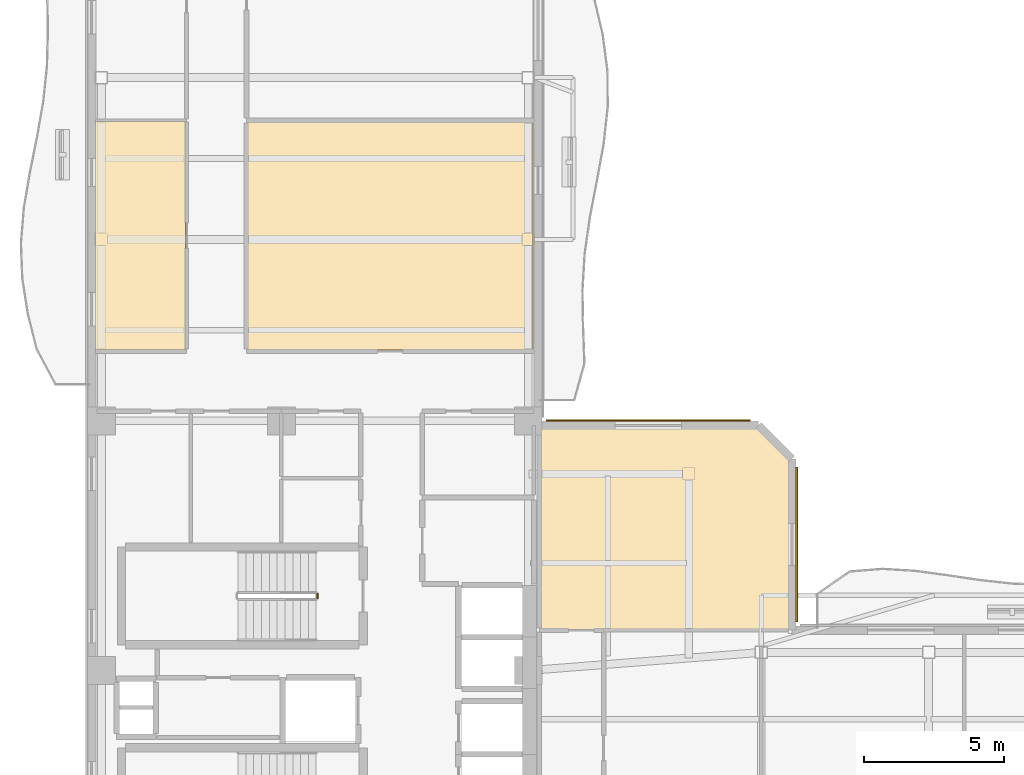
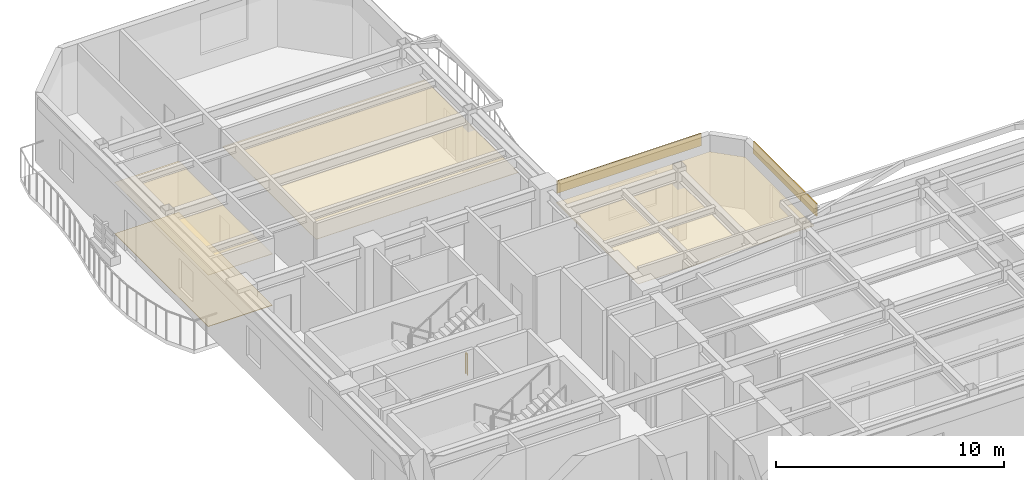
# One storey, part 11 of 13: 6 coverings, 1 railing.
"""IFC4 building model written with IfcOpenShell, lengths in metres."""

from ifc_helpers import new_model, si_unit, direction, frame, origin, origin_2d, place, context, subcontext, project, spatial, polyline, rectangle, outline, extrude, material, layer, layer_set, type_object, element, save


model = new_model("IFC4")

# Units and contexts
model_context = context("Model", 3, precision=1e-05, world=origin(), true_north=direction((0.0, 1.0)))
body_context = subcontext(model_context, "Body", "Model", "MODEL_VIEW")
ifc_project = project(units=[si_unit("LENGTHUNIT", "METRE"), si_unit("AREAUNIT", "SQUARE_METRE"), si_unit("VOLUMEUNIT", "CUBIC_METRE"), si_unit("PLANEANGLEUNIT", "RADIAN"), si_unit("MASSUNIT", "GRAM", prefix="KILO")], contexts=[model_context])

# Site, building, storey
site_placement = place(None, origin())
site = spatial("IfcSite", under=ifc_project, at=site_placement, CompositionType="ELEMENT")
building_placement = place(site_placement, origin())
building = spatial("IfcBuilding", under=site, at=building_placement, Name="Mawjaban Terraces University", CompositionType="ELEMENT")
storey_placement = place(building_placement, frame((0.0, 0.0, 199.199951171875)))
storey = spatial("IfcBuildingStorey", under=building, at=storey_placement, Name="L48", CompositionType="ELEMENT", Elevation=199.199951171875)

# Coverings
ifc_material_1 = material(Name="Acoustic mineral fibre ceiling tile", Category="masonry")
ifc_layer_1 = layer(ifc_material_1, 0.02001953125)
ifc_layer_set_1 = layer_set([ifc_layer_1], Name="Acoustic mineral fibre ceiling tile")
covering_type_1 = type_object("IfcCoveringType", Name="AcousticMineralCeiling_20", PredefinedType="CEILING", material=ifc_layer_set_1)
covering_1_placement = place(storey_placement, frame((0.0, 0.0, 2.75)))
element("IfcCovering", 1, at=covering_1_placement, inside=storey, type_object=covering_type_1, Name="L48 Seminar Room 10 Acoustic Ceiling", PredefinedType="CEILING", context=body_context, shape_type="SweptSolid", body=[
    extrude(outline(polyline([(22.114990234375, 34.22607421875), (22.114990234375, 26.030029296875), (25.3701171875, 26.030029296875), (25.3701171875, 34.22607421875), (22.114990234375, 34.22607421875)])), origin(), (0.0, 0.0, 1.0), 0.02001953125),
])
covering_2_placement = place(storey_placement, frame((0.0, 0.0, 2.75)))
element("IfcCovering", 2, at=covering_2_placement, inside=storey, type_object=covering_type_1, Name="L48 Faculty Office 11 Acoustic Ceiling", PredefinedType="CEILING", context=body_context, shape_type="SweptSolid", body=[
    extrude(outline(polyline([(37.820068359375, 26.030029296875), (37.820068359375, 34.22607421875), (27.580078125, 34.22607421875), (27.580078125, 26.030029296875), (37.820068359375, 26.030029296875)])), origin(), (0.0, 0.0, 1.0), 0.02001953125),
])
covering_3_placement = place(storey_placement, frame((0.0, 0.0, 2.75)))
element("IfcCovering", 3, at=covering_3_placement, inside=storey, type_object=covering_type_1, Name="L48 Terrace Collaborative Study Room Acoustic Ceiling", PredefinedType="CEILING", context=body_context, shape_type="SweptSolid", body=[
    extrude(outline(polyline([(46.985107421875, 16.030029296875), (46.985107421875, 22.087890625), (45.85302734375, 23.219970703125), (38.080078125, 23.219970703125), (38.080078125, 16.030029296875), (46.985107421875, 16.030029296875)])), origin(), (0.0, 0.0, 1.0), 0.02001953125),
])

# Railing
ifc_material_2 = material(Name="Galvanised painted steel S355", Category="steel")
railing_type = type_object("IfcRailingType", Name="StairWellGuard_1150", PredefinedType="BALUSTRADE", material=ifc_material_2)
railing_placement = place(storey_placement, frame((30.10009765625, 17.300048828125, 0.0)))
element("IfcRailing", 4, at=railing_placement, inside=storey, type_object=railing_type, Name="L48 ST-2 stair guard 4", PredefinedType="BALUSTRADE", context=body_context, shape_type="SweptSolid", body=[
    extrude(rectangle(XDim=0.048095703125, YDim=0.048095703125, at=origin_2d()), frame((0.0, 0.0, 1.1259765625), z_axis=(0.0, -1.0, 0.0), x_axis=(1.0, 0.0, 0.0)), (0.0, 0.0, 1.0), 0.150146484375),
    extrude(rectangle(XDim=0.0419921875, YDim=0.0419921875, at=origin_2d()), origin(), (0.0, 0.0, 1.0), 1.101806640625),
    extrude(rectangle(XDim=0.0419921875, YDim=0.0419921875, at=origin_2d()), frame((0.0, -0.150146484375, 0.0)), (0.0, 0.0, 1.0), 1.101806640625),
])

# Coverings
ifc_material_3 = material(Name="Glazed architectural terracotta rainscreen", Category="masonry")
ifc_layer_2 = layer(ifc_material_3, 0.06005859375)
ifc_layer_set_2 = layer_set([ifc_layer_2], Name="Glazed architectural terracotta rainscreen")
covering_type_2 = type_object("IfcCoveringType", Name="TerracottaSpandrelCladding_60", PredefinedType="CLADDING", material=ifc_layer_set_2)
covering_4_placement = place(storey_placement, frame((47.27490234375, 19.068115234375, 3.01513671875), z_axis=(0.0, 0.0, 1.0), x_axis=(0.0, 1.0, 0.0)))
element("IfcCovering", 5, at=covering_4_placement, inside=storey, type_object=covering_type_2, Name="L48 Terracotta Spandrel Cladding 6", PredefinedType="CLADDING", context=body_context, shape_type="SweptSolid", body=[
    extrude(rectangle(XDim=5.534912109375, YDim=0.06005859375, at=origin_2d()), origin(), (0.0, 0.0, 1.0), 0.64990234375),
])
covering_5_placement = place(storey_placement, frame((41.949951171875, 23.510009765625, 3.01513671875), z_axis=(0.0, 0.0, 1.0), x_axis=(-1.0, 0.0, 0.0)))
element("IfcCovering", 6, at=covering_5_placement, inside=storey, type_object=covering_type_2, Name="L48 Terracotta Spandrel Cladding 8", PredefinedType="CLADDING", context=body_context, shape_type="SweptSolid", body=[
    extrude(rectangle(XDim=7.300048828125, YDim=0.06005859375, at=origin_2d()), origin(), (0.0, 0.0, 1.0), 0.64990234375),
])
ifc_material_4 = material(Name="Polished Hijazi granite terrazzo flooring", Category="masonry")
ifc_layer_3 = layer(ifc_material_4, 0.02490234375)
ifc_layer_set_3 = layer_set([ifc_layer_3], Name="Polished Hijazi granite terrazzo flooring")
covering_type_3 = type_object("IfcCoveringType", Name="TerrazzoConcourseFlooring_25", PredefinedType="FLOORING", material=ifc_layer_set_3)
covering_6_placement = place(storey_placement, origin())
element("IfcCovering", 7, at=covering_6_placement, inside=storey, type_object=covering_type_3, Name="L48 Seminar Room 10 Terrazzo Flooring", PredefinedType="FLOORING", context=body_context, shape_type="SweptSolid", body=[
    extrude(outline(polyline([(22.114990234375, 34.22607421875), (22.114990234375, 26.030029296875), (25.3701171875, 26.030029296875), (25.3701171875, 34.22607421875), (22.114990234375, 34.22607421875)])), origin(), (0.0, 0.0, 1.0), 0.025146484375),
])

save(model, "model.ifc")
